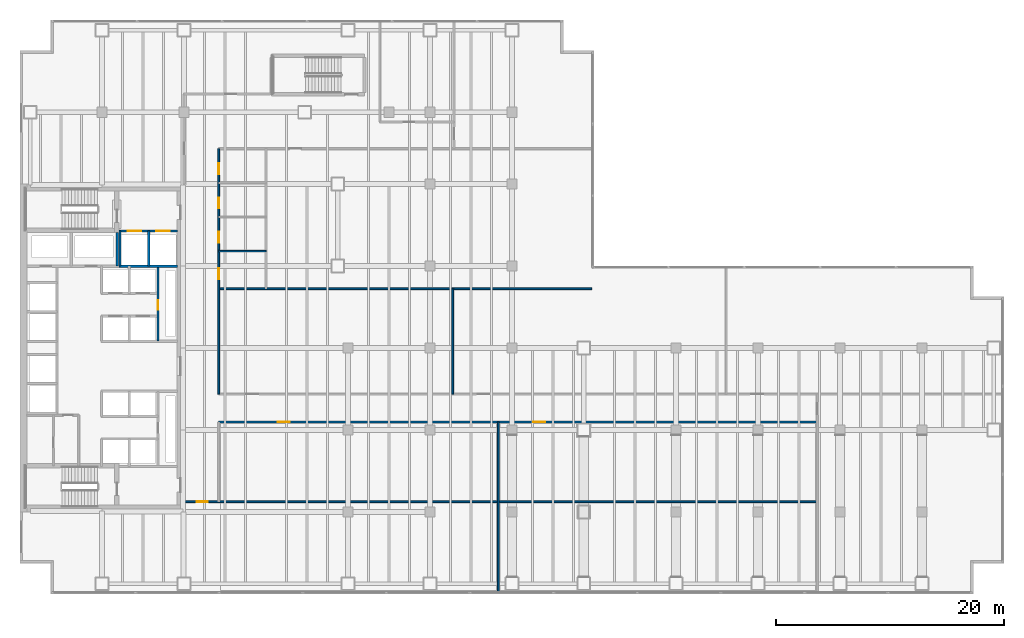
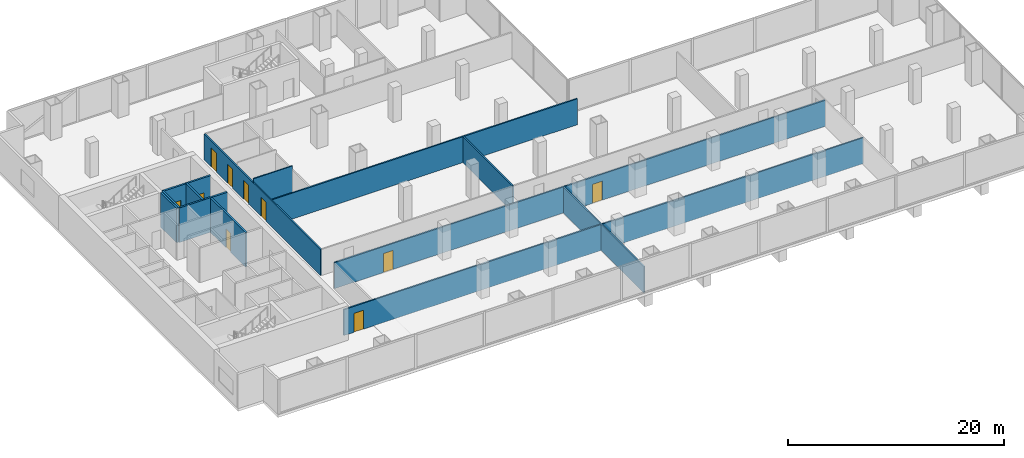
# One storey, part 27 of 34: 13 walls, 10 doors, 10 openings.
"""IFC4 building model written with IfcOpenShell, lengths in metres."""

from ifc_helpers import new_model, si_unit, direction, frame, frame_2d, origin, place, context, subcontext, project, spatial, rectangle, extrude, material, layer, layer_set, type_object, element, fill, save


model = new_model("IFC4")

# Units and contexts
model_context = context("Model", 3, precision=1e-05, world=origin(), true_north=direction((0.0, 1.0)))
body_context = subcontext(model_context, "Body", "Model", "MODEL_VIEW")
ifc_project = project(units=[si_unit("LENGTHUNIT", "METRE"), si_unit("AREAUNIT", "SQUARE_METRE"), si_unit("VOLUMEUNIT", "CUBIC_METRE"), si_unit("PLANEANGLEUNIT", "RADIAN"), si_unit("MASSUNIT", "GRAM", prefix="KILO")], contexts=[model_context])

# Site, building, storey
site_placement = place(None, origin())
site = spatial("IfcSite", under=ifc_project, at=site_placement, CompositionType="ELEMENT")
building_placement = place(site_placement, origin())
building = spatial("IfcBuilding", under=site, at=building_placement, Name="Cobrela Telecom Tower", CompositionType="ELEMENT")
storey_placement = place(building_placement, frame((0.0, 0.0, 5.25)))
storey = spatial("IfcBuildingStorey", under=building, at=storey_placement, Name="L01", CompositionType="ELEMENT", Elevation=5.25)

# Wall
ifc_material_1 = material(Name="Fire-Rated Gypsum Plasterboard")
ifc_layer_1 = layer(ifc_material_1, 0.125)
ifc_layer_set_1 = layer_set([ifc_layer_1], Name="Fire-Rated Gypsum Plasterboard")
wall_type_1 = type_object("IfcWallType", Name="WALL-PART-125", PredefinedType="PARTITIONING", material=ifc_layer_set_1)
wall_1_placement = place(storey_placement, frame((17.449951171875, 30.10009765625, 0.0), z_axis=(0.0, 0.0, 1.0), x_axis=(1.0, 0.0, 0.0)))
element("IfcWall", 1, at=wall_1_placement, inside=storey, type_object=wall_type_1, Name="L01 Interior Partition W-PWC-3", PredefinedType="PARTITIONING", context=body_context, shape_type="SweptSolid", body=[
    extrude(rectangle(XDim=4.150146484375, YDim=0.125, at=frame_2d((2.0751953125, 0.0))), origin(), (0.0, 0.0, 1.0), 3.3359375),
])

# Wall, opening, door
ifc_layer_2 = layer(ifc_material_1, 0.14990234375)
ifc_layer_set_2 = layer_set([ifc_layer_2], Name="Fire-Rated Gypsum Plasterboard")
wall_type_2 = type_object("IfcWallType", Name="WALL-PART-150", PredefinedType="PARTITIONING", material=ifc_layer_set_2)
wall_2_placement = place(storey_placement, frame((14.39990234375, 8.10009765625, 0.0), z_axis=(0.0, 0.0, 1.0), x_axis=(1.0, 0.0, 0.0)))
wall_2 = element("IfcWall", 2, at=wall_2_placement, inside=storey, type_object=wall_type_2, Name="L01 Interior Partition W-PC-S", PredefinedType="PARTITIONING", context=body_context, shape_type="SweptSolid", body=[
    extrude(rectangle(XDim=55.60009765625, YDim=0.14990234375, at=frame_2d((27.800048828125, 0.0))), origin(), (0.0, 0.0, 1.0), 2.93798828125),
])
opening_1_placement = place(wall_2_placement, frame((1.10009765625, 0.0, 0.0)))
opening_1 = element("IfcOpeningElement", 3, at=opening_1_placement, cuts=wall_2, Name="Opening DR-31", PredefinedType="OPENING", context=body_context, shape_type="SweptSolid", body=[
    extrude(rectangle(XDim=1.0, YDim=2.14990234375, at=frame_2d((0.5, 1.074951171875))), frame((0.0, 0.0869140625, 0.0), z_axis=(0.0, -1.0, 0.0), x_axis=(1.0, 0.0, 0.0)), (0.0, 0.0, 1.0), 0.173828125),
])
ifc_material_2 = material(Name="Solid Engineered Oak Timber", Category="wood")
door_type_1 = type_object("IfcDoorType", Name="DOOR-INT-1000", OperationType="SINGLE_SWING_LEFT", PredefinedType="DOOR", material=ifc_material_2)
door_1_placement = place(opening_1_placement, origin())
door_1 = element("IfcDoor", 4, at=door_1_placement, inside=storey, type_object=door_type_1, Name="L01 Door DR-31", OperationType="SINGLE_SWING_RIGHT", OverallHeight=2.14990234375, OverallWidth=1.0, PredefinedType="DOOR", context=body_context, shape_type="SweptSolid", body=[
    extrude(rectangle(XDim=1.0, YDim=2.14990234375, at=frame_2d((0.5, 1.074951171875))), frame((0.0, 0.02490234375, 0.0), z_axis=(0.0, -1.0, 0.0), x_axis=(1.0, 0.0, 0.0)), (0.0, 0.0, 1.0), 0.050048828125),
])
fill(opening_1, door_1)

# Wall, openings, doors
wall_3_placement = place(storey_placement, frame((17.449951171875, 17.550048828125, 0.0), z_axis=(0.0, 0.0, 1.0), x_axis=(0.0, 1.0, 0.0)))
wall_3 = element("IfcWall", 5, at=wall_3_placement, inside=storey, type_object=wall_type_2, Name="L01 Interior Partition W-PC-E2", PredefinedType="PARTITIONING", context=body_context, shape_type="SweptSolid", body=[
    extrude(rectangle(XDim=21.550048828125, YDim=0.14990234375, at=frame_2d((10.77490234375, 0.0))), origin(), (0.0, 0.0, 1.0), 2.93798828125),
])
opening_2_placement = place(wall_3_placement, frame((19.300048828125, 0.0, 0.0)))
opening_2 = element("IfcOpeningElement", 6, at=opening_2_placement, cuts=wall_3, Name="Opening DR-67", PredefinedType="OPENING", context=body_context, shape_type="SweptSolid", body=[
    extrude(rectangle(XDim=0.949951171875, YDim=2.14990234375, at=frame_2d((0.47509765625, 1.074951171875))), frame((0.0, 0.0869140625, 0.0), z_axis=(0.0, -1.0, 0.0), x_axis=(1.0, 0.0, 0.0)), (0.0, 0.0, 1.0), 0.173828125),
])
opening_3_placement = place(wall_3_placement, frame((16.300048828125, 0.0, 0.0)))
opening_3 = element("IfcOpeningElement", 7, at=opening_3_placement, cuts=wall_3, Name="Opening DR-67", PredefinedType="OPENING", context=body_context, shape_type="SweptSolid", body=[
    extrude(rectangle(XDim=0.949951171875, YDim=2.14990234375, at=frame_2d((0.47509765625, 1.074951171875))), frame((0.0, 0.0869140625, 0.0), z_axis=(0.0, -1.0, 0.0), x_axis=(1.0, 0.0, 0.0)), (0.0, 0.0, 1.0), 0.173828125),
])
opening_4_placement = place(wall_3_placement, frame((13.300048828125, 0.0, 0.0)))
opening_4 = element("IfcOpeningElement", 8, at=opening_4_placement, cuts=wall_3, Name="Opening DR-67", PredefinedType="OPENING", context=body_context, shape_type="SweptSolid", body=[
    extrude(rectangle(XDim=0.949951171875, YDim=2.14990234375, at=frame_2d((0.47509765625, 1.074951171875))), frame((0.0, 0.0869140625, 0.0), z_axis=(0.0, -1.0, 0.0), x_axis=(1.0, 0.0, 0.0)), (0.0, 0.0, 1.0), 0.173828125),
])
opening_5_placement = place(wall_3_placement, frame((10.10009765625, 0.0, 0.0)))
opening_5 = element("IfcOpeningElement", 9, at=opening_5_placement, cuts=wall_3, Name="Opening DR-67", PredefinedType="OPENING", context=body_context, shape_type="SweptSolid", body=[
    extrude(rectangle(XDim=0.949951171875, YDim=2.14990234375, at=frame_2d((0.47509765625, 1.074951171875))), frame((0.0, 0.0869140625, 0.0), z_axis=(0.0, -1.0, 0.0), x_axis=(1.0, 0.0, 0.0)), (0.0, 0.0, 1.0), 0.173828125),
])
door_type_2 = type_object("IfcDoorType", Name="DOOR-INT-950", OperationType="SINGLE_SWING_LEFT", PredefinedType="DOOR", material=ifc_material_2)
door_2_placement = place(opening_2_placement, origin())
door_2 = element("IfcDoor", 10, at=door_2_placement, inside=storey, type_object=door_type_2, Name="L01 Door DR-67", OperationType="SINGLE_SWING_LEFT", OverallHeight=2.14990234375, OverallWidth=0.949951171875, PredefinedType="DOOR", context=body_context, shape_type="SweptSolid", body=[
    extrude(rectangle(XDim=0.949951171875, YDim=2.14990234375, at=frame_2d((0.47509765625, 1.074951171875))), frame((0.0, 0.02490234375, 0.0), z_axis=(0.0, -1.0, 0.0), x_axis=(1.0, 0.0, 0.0)), (0.0, 0.0, 1.0), 0.050048828125),
])
fill(opening_2, door_2)
door_3_placement = place(opening_3_placement, origin())
door_3 = element("IfcDoor", 11, at=door_3_placement, inside=storey, type_object=door_type_2, Name="L01 Door DR-67", OperationType="SINGLE_SWING_RIGHT", OverallHeight=2.14990234375, OverallWidth=0.949951171875, PredefinedType="DOOR", context=body_context, shape_type="SweptSolid", body=[
    extrude(rectangle(XDim=0.949951171875, YDim=2.14990234375, at=frame_2d((0.47509765625, 1.074951171875))), frame((0.0, 0.02490234375, 0.0), z_axis=(0.0, -1.0, 0.0), x_axis=(1.0, 0.0, 0.0)), (0.0, 0.0, 1.0), 0.050048828125),
])
fill(opening_3, door_3)
door_4_placement = place(opening_4_placement, origin())
door_4 = element("IfcDoor", 12, at=door_4_placement, inside=storey, type_object=door_type_2, Name="L01 Door DR-67", OperationType="SINGLE_SWING_LEFT", OverallHeight=2.14990234375, OverallWidth=0.949951171875, PredefinedType="DOOR", context=body_context, shape_type="SweptSolid", body=[
    extrude(rectangle(XDim=0.949951171875, YDim=2.14990234375, at=frame_2d((0.47509765625, 1.074951171875))), frame((0.0, 0.02490234375, 0.0), z_axis=(0.0, -1.0, 0.0), x_axis=(1.0, 0.0, 0.0)), (0.0, 0.0, 1.0), 0.050048828125),
])
fill(opening_4, door_4)
door_5_placement = place(opening_5_placement, origin())
door_5 = element("IfcDoor", 13, at=door_5_placement, inside=storey, type_object=door_type_2, Name="L01 Door DR-67", OperationType="SINGLE_SWING_RIGHT", OverallHeight=2.14990234375, OverallWidth=0.949951171875, PredefinedType="DOOR", context=body_context, shape_type="SweptSolid", body=[
    extrude(rectangle(XDim=0.949951171875, YDim=2.14990234375, at=frame_2d((0.47509765625, 1.074951171875))), frame((0.0, 0.02490234375, 0.0), z_axis=(0.0, -1.0, 0.0), x_axis=(1.0, 0.0, 0.0)), (0.0, 0.0, 1.0), 0.050048828125),
])
fill(opening_5, door_5)

wall_4_placement = place(storey_placement, frame((17.449951171875, 15.10009765625, 0.0), z_axis=(0.0, 0.0, 1.0), x_axis=(1.0, 0.0, 0.0)))
wall_4 = element("IfcWall", 14, at=wall_4_placement, inside=storey, type_object=wall_type_2, Name="L01 Interior Partition W-PC-HS", PredefinedType="PARTITIONING", context=body_context, shape_type="SweptSolid", body=[
    extrude(rectangle(XDim=52.550048828125, YDim=0.14990234375, at=frame_2d((26.27490234375, 0.0))), origin(), (0.0, 0.0, 1.0), 2.93798828125),
])
opening_6_placement = place(wall_4_placement, frame((5.199951171875, 0.0, 0.0)))
opening_6 = element("IfcOpeningElement", 15, at=opening_6_placement, cuts=wall_4, Name="Opening DR-29", PredefinedType="OPENING", context=body_context, shape_type="SweptSolid", body=[
    extrude(rectangle(XDim=1.050048828125, YDim=2.14990234375, at=frame_2d((0.52490234375, 1.074951171875))), frame((0.0, 0.0869140625, 0.0), z_axis=(0.0, -1.0, 0.0), x_axis=(1.0, 0.0, 0.0)), (0.0, 0.0, 1.0), 0.173828125),
])
opening_7_placement = place(wall_4_placement, frame((27.60009765625, 0.0, 0.0)))
opening_7 = element("IfcOpeningElement", 16, at=opening_7_placement, cuts=wall_4, Name="Opening DR-29", PredefinedType="OPENING", context=body_context, shape_type="SweptSolid", body=[
    extrude(rectangle(XDim=1.050048828125, YDim=2.14990234375, at=frame_2d((0.52490234375, 1.074951171875))), frame((0.0, 0.0869140625, 0.0), z_axis=(0.0, -1.0, 0.0), x_axis=(1.0, 0.0, 0.0)), (0.0, 0.0, 1.0), 0.173828125),
])
door_type_3 = type_object("IfcDoorType", Name="DOOR-INT-1050", OperationType="SINGLE_SWING_LEFT", PredefinedType="DOOR", material=ifc_material_2)
door_6_placement = place(opening_6_placement, origin())
door_6 = element("IfcDoor", 17, at=door_6_placement, inside=storey, type_object=door_type_3, Name="L01 Door DR-29", OperationType="SINGLE_SWING_LEFT", OverallHeight=2.14990234375, OverallWidth=1.050048828125, PredefinedType="DOOR", context=body_context, shape_type="SweptSolid", body=[
    extrude(rectangle(XDim=1.050048828125, YDim=2.14990234375, at=frame_2d((0.52490234375, 1.074951171875))), frame((0.0, 0.02490234375, 0.0), z_axis=(0.0, -1.0, 0.0), x_axis=(1.0, 0.0, 0.0)), (0.0, 0.0, 1.0), 0.050048828125),
])
fill(opening_6, door_6)
door_7_placement = place(opening_7_placement, origin())
door_7 = element("IfcDoor", 18, at=door_7_placement, inside=storey, type_object=door_type_3, Name="L01 Door DR-29", OperationType="SINGLE_SWING_RIGHT", OverallHeight=2.14990234375, OverallWidth=1.050048828125, PredefinedType="DOOR", context=body_context, shape_type="SweptSolid", body=[
    extrude(rectangle(XDim=1.050048828125, YDim=2.14990234375, at=frame_2d((0.52490234375, 1.074951171875))), frame((0.0, 0.02490234375, 0.0), z_axis=(0.0, -1.0, 0.0), x_axis=(1.0, 0.0, 0.0)), (0.0, 0.0, 1.0), 0.050048828125),
])
fill(opening_7, door_7)

# Walls
wall_5_placement = place(storey_placement, frame((17.449951171875, 26.800048828125, 0.0), z_axis=(0.0, 0.0, 1.0), x_axis=(1.0, 0.0, 0.0)))
element("IfcWall", 19, at=wall_5_placement, inside=storey, type_object=wall_type_2, Name="L01 Interior Partition W-PWC-4", PredefinedType="PARTITIONING", context=body_context, shape_type="SweptSolid", body=[
    extrude(rectangle(XDim=32.75, YDim=0.14990234375, at=frame_2d((16.375, 0.0))), origin(), (0.0, 0.0, 1.0), 2.93798828125),
])
wall_6_placement = place(storey_placement, frame((38.0, 17.550048828125, 0.0), z_axis=(0.0, 0.0, 1.0), x_axis=(0.0, 1.0, 0.0)))
element("IfcWall", 20, at=wall_6_placement, inside=storey, type_object=wall_type_2, Name="L01 Interior Partition W-POD-V1", PredefinedType="PARTITIONING", context=body_context, shape_type="SweptSolid", body=[
    extrude(rectangle(XDim=9.25, YDim=0.14990234375, at=frame_2d((4.625, 0.0))), origin(), (0.0, 0.0, 1.0), 2.93798828125),
])
wall_7_placement = place(storey_placement, frame((42.0, 0.1201171875, 0.0), z_axis=(0.0, 0.0, 1.0), x_axis=(0.0, 1.0, 0.0)))
element("IfcWall", 21, at=wall_7_placement, inside=storey, type_object=wall_type_2, Name="L01 Interior Partition W-POD-S1", PredefinedType="PARTITIONING", context=body_context, shape_type="SweptSolid", body=[
    extrude(rectangle(XDim=14.97998046875, YDim=0.14990234375, at=frame_2d((7.489990234375, 0.0))), origin(), (0.0, 0.0, 1.0), 2.93798828125),
])

# Wall, openings, doors
ifc_layer_3 = layer(ifc_material_1, 0.199951171875)
ifc_layer_set_3 = layer_set([ifc_layer_3], Name="Fire-Rated Gypsum Plasterboard")
wall_type_3 = type_object("IfcWallType", Name="WALL-SHAFT-200", PredefinedType="PARTITIONING", material=ifc_layer_set_3)
wall_8_placement = place(storey_placement, frame((8.699951171875, 31.8798828125, 0.0), z_axis=(0.0, 0.0, 1.0), x_axis=(1.0, 0.0, 0.0)))
wall_8 = element("IfcWall", 22, at=wall_8_placement, inside=storey, type_object=wall_type_3, Name="L01 Shaft Enclosure CW-FFL-S", PredefinedType="PARTITIONING", context=body_context, shape_type="SweptSolid", body=[
    extrude(rectangle(XDim=5.150146484375, YDim=0.199951171875, at=frame_2d((2.5751953125, 0.0))), origin(), (0.0, 0.0, 1.0), 3.89990234375),
])
opening_8_placement = place(wall_8_placement, frame((0.75, 0.0, 0.0)))
opening_8 = element("IfcOpeningElement", 23, at=opening_8_placement, cuts=wall_8, Name="Opening LD-2", PredefinedType="OPENING", context=body_context, shape_type="SweptSolid", body=[
    extrude(rectangle(XDim=1.199951171875, YDim=2.199951171875, at=frame_2d((0.60009765625, 1.10009765625))), frame((0.0, 0.11181640625, 0.0), z_axis=(0.0, -1.0, 0.0), x_axis=(1.0, 0.0, 0.0)), (0.0, 0.0, 1.0), 0.223876953125),
])
opening_9_placement = place(wall_8_placement, frame((3.25, 0.0, 0.0)))
opening_9 = element("IfcOpeningElement", 24, at=opening_9_placement, cuts=wall_8, Name="Opening LD-2", PredefinedType="OPENING", context=body_context, shape_type="SweptSolid", body=[
    extrude(rectangle(XDim=1.199951171875, YDim=2.199951171875, at=frame_2d((0.60009765625, 1.10009765625))), frame((0.0, 0.11181640625, 0.0), z_axis=(0.0, -1.0, 0.0), x_axis=(1.0, 0.0, 0.0)), (0.0, 0.0, 1.0), 0.223876953125),
])
ifc_material_3 = material(Name="Steel ASTM A36", Category="steel")
door_type_4 = type_object("IfcDoorType", Name="DOOR-LD-FFL", OperationType="SINGLE_SWING_LEFT", PredefinedType="DOOR", material=ifc_material_3)
door_8_placement = place(opening_8_placement, origin())
door_8 = element("IfcDoor", 25, at=door_8_placement, inside=storey, type_object=door_type_4, Name="L01 Lift Landing Door LD-2", OperationType="DOUBLE_DOOR_SLIDING", OverallHeight=2.199951171875, OverallWidth=1.199951171875, PredefinedType="DOOR", context=body_context, shape_type="SweptSolid", body=[
    extrude(rectangle(XDim=1.199951171875, YDim=2.199951171875, at=frame_2d((0.60009765625, 1.10009765625))), frame((0.0, 0.02490234375, 0.0), z_axis=(0.0, -1.0, 0.0), x_axis=(1.0, 0.0, 0.0)), (0.0, 0.0, 1.0), 0.050048828125),
])
fill(opening_8, door_8)
door_9_placement = place(opening_9_placement, origin())
door_9 = element("IfcDoor", 26, at=door_9_placement, inside=storey, type_object=door_type_4, Name="L01 Lift Landing Door LD-2", OperationType="DOUBLE_DOOR_SLIDING", OverallHeight=2.199951171875, OverallWidth=1.199951171875, PredefinedType="DOOR", context=body_context, shape_type="SweptSolid", body=[
    extrude(rectangle(XDim=1.199951171875, YDim=2.199951171875, at=frame_2d((0.60009765625, 1.10009765625))), frame((0.0, 0.02490234375, 0.0), z_axis=(0.0, -1.0, 0.0), x_axis=(1.0, 0.0, 0.0)), (0.0, 0.0, 1.0), 0.050048828125),
])
fill(opening_9, door_9)

# Walls
wall_9_placement = place(storey_placement, frame((8.699951171875, 28.780029296875, 0.0), z_axis=(0.0, 0.0, 1.0), x_axis=(1.0, 0.0, 0.0)))
element("IfcWall", 27, at=wall_9_placement, inside=storey, type_object=wall_type_3, Name="L01 Shaft Enclosure CW-FFL-S2", PredefinedType="PARTITIONING", context=body_context, shape_type="SweptSolid", body=[
    extrude(rectangle(XDim=5.150146484375, YDim=0.199951171875, at=frame_2d((2.5751953125, 0.0))), origin(), (0.0, 0.0, 1.0), 3.89990234375),
])
for number, where, z_axis, x_axis, name in (
    (28, (8.780029296875, 28.780029296875, 0.0), (0.0, 0.0, 1.0), (0.0, 1.0, 0.0), "L01 Shaft Enclosure CW-FFL-W"),
    (29, (11.300048828125, 28.780029296875, 0.0), (0.0, 0.0, 1.0), (0.0, 1.0, 0.0), "L01 Shaft Enclosure CW-FFL-M"),
):
    element("IfcWall", number, at=place(storey_placement, frame(where, z_axis=z_axis, x_axis=x_axis)), inside=storey, type_object=wall_type_3, Name=name, PredefinedType="PARTITIONING", context=body_context, shape_type="SweptSolid", body=[
        extrude(rectangle(XDim=3.099853515625, YDim=0.199951171875, at=frame_2d((1.5498046875, 0.0))), origin(), (0.0, 0.0, 1.0), 3.89990234375),
    ])
wall_10_placement = place(storey_placement, frame((8.550048828125, 28.780029296875, 0.0), z_axis=(0.0, 0.0, 1.0), x_axis=(0.0, 1.0, 0.0)))
element("IfcWall", 30, at=wall_10_placement, inside=storey, type_object=wall_type_3, Name="L01 Shaft Enclosure CW-RIS-E", PredefinedType="PARTITIONING", context=body_context, shape_type="SweptSolid", body=[
    extrude(rectangle(XDim=2.93994140625, YDim=0.199951171875, at=frame_2d((1.469970703125, 0.0))), origin(), (0.0, 0.0, 1.0), 3.89990234375),
])

# Wall, opening, door
wall_11_placement = place(storey_placement, frame((12.1201171875, 22.199951171875, 0.0), z_axis=(0.0, 0.0, 1.0), x_axis=(0.0, 1.0, 0.0)))
wall_11 = element("IfcWall", 31, at=wall_11_placement, inside=storey, type_object=wall_type_3, Name="L01 Shaft Enclosure CW-PLL-V3", PredefinedType="PARTITIONING", context=body_context, shape_type="SweptSolid", body=[
    extrude(rectangle(XDim=6.580078125, YDim=0.199951171875, at=frame_2d((3.2900390625, 0.0))), origin(), (0.0, 0.0, 1.0), 3.89990234375),
])
opening_10_placement = place(wall_11_placement, frame((2.75, 0.0, 0.0)))
opening_10 = element("IfcOpeningElement", 32, at=opening_10_placement, cuts=wall_11, Name="Opening DR-11", PredefinedType="OPENING", context=body_context, shape_type="SweptSolid", body=[
    extrude(rectangle(XDim=0.85009765625, YDim=2.14990234375, at=frame_2d((0.425048828125, 1.074951171875))), frame((0.0, 0.11181640625, 0.0), z_axis=(0.0, -1.0, 0.0), x_axis=(1.0, 0.0, 0.0)), (0.0, 0.0, 1.0), 0.223876953125),
])
door_type_5 = type_object("IfcDoorType", Name="DOOR-INT-850", OperationType="SINGLE_SWING_LEFT", PredefinedType="DOOR", material=ifc_material_2)
door_10_placement = place(opening_10_placement, origin())
door_10 = element("IfcDoor", 33, at=door_10_placement, inside=storey, type_object=door_type_5, Name="L01 Door DR-11", OperationType="SINGLE_SWING_LEFT", OverallHeight=2.14990234375, OverallWidth=0.85009765625, PredefinedType="DOOR", context=body_context, shape_type="SweptSolid", body=[
    extrude(rectangle(XDim=0.85009765625, YDim=2.14990234375, at=frame_2d((0.425048828125, 1.074951171875))), frame((0.0, 0.02490234375, 0.0), z_axis=(0.0, -1.0, 0.0), x_axis=(1.0, 0.0, 0.0)), (0.0, 0.0, 1.0), 0.050048828125),
])
fill(opening_10, door_10)

save(model, "model.ifc")
